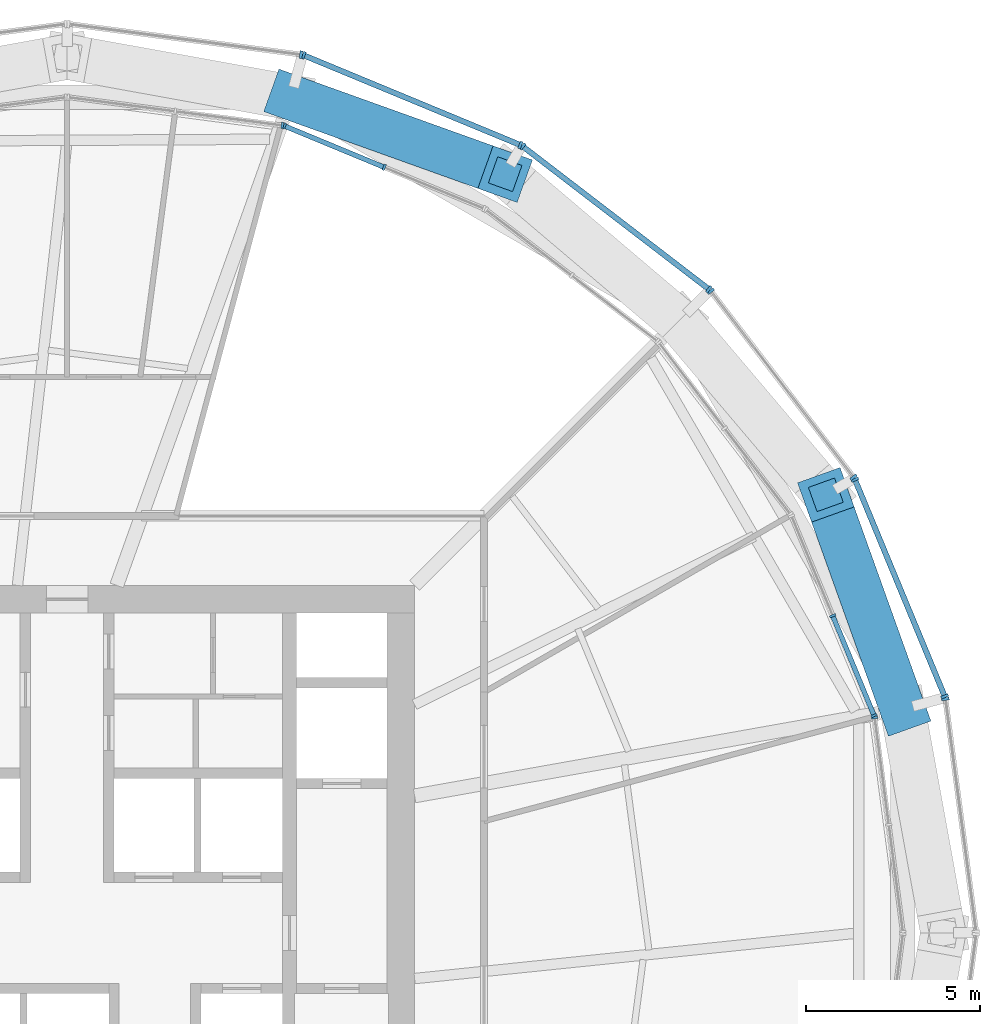
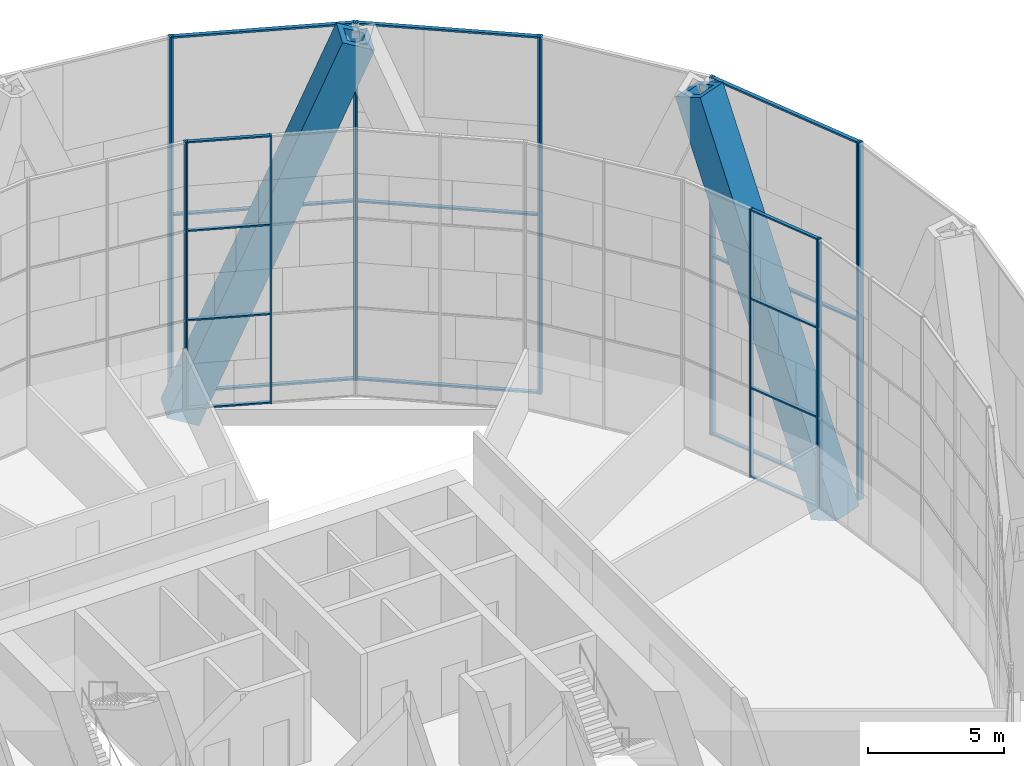
# One storey, part 10 of 26: 35 members, 10 elements without a shape of their own.
"""IFC4 building model written with IfcOpenShell, lengths in metres."""

from ifc_helpers import new_model, si_unit, direction, frame, origin, origin_2d, place, context, subcontext, project, spatial, rectangle, hollow_rectangle, extrude, material, material_profile, profile_set, type_object, element, aggregate, save


model = new_model("IFC4")

# Units and contexts
model_context = context("Model", 3, precision=1e-05, world=origin(), true_north=direction((0.0, 1.0)))
body_context = subcontext(model_context, "Body", "Model", "MODEL_VIEW")
ifc_project = project(units=[si_unit("LENGTHUNIT", "METRE"), si_unit("AREAUNIT", "SQUARE_METRE"), si_unit("VOLUMEUNIT", "CUBIC_METRE"), si_unit("PLANEANGLEUNIT", "RADIAN"), si_unit("MASSUNIT", "GRAM", prefix="KILO")], contexts=[model_context])

# Site, building, storey
site_placement = place(None, origin())
site = spatial("IfcSite", under=ifc_project, at=site_placement, CompositionType="ELEMENT")
building_placement = place(site_placement, origin())
building = spatial("IfcBuilding", under=site, at=building_placement, Name="Golbaran Civic Tower", CompositionType="ELEMENT")
storey_placement = place(building_placement, frame((0.0, 0.0, 69.0)))
storey = spatial("IfcBuildingStorey", under=building, at=storey_placement, Name="L16", CompositionType="ELEMENT", Elevation=69.0)

# Members
ifc_material_1 = material(Name="Steel S355", Category="steel")
ifc_material_profile_1 = material_profile(ifc_material_1, hollow_rectangle(XDim=1.300048828125, YDim=1.300048828125, WallThickness=0.25, at=origin_2d()), Name="BOX 1300x1300x250")
ifc_profile_set_1 = profile_set([ifc_material_profile_1], Name="Steel S355")
member_type_1 = type_object("IfcMemberType", Name="DIAGRID DIAGONAL BOX 1300x1300x250", PredefinedType="BRACE", material=ifc_profile_set_1)
for number, where, z_axis, x_axis, name in (
    (1, (24.04296875, 6.4423828125, -0.7099609375), (-0.127819765109, 0.356500071861, 0.925510565262), (-0.941324428799, -0.337503066276, 0.0), "Diagonal D03-00R L16-L20"),
    (2, (6.4423828125, 24.04296875, -0.7099609375), (0.356500071861, -0.127819765109, 0.925510565262), (0.337503066276, 0.941324428799, 0.0), "Diagonal D03-02L L16-L20"),
):
    element("IfcMember", number, at=place(storey_placement, frame(where, z_axis=z_axis, x_axis=x_axis)), inside=storey, type_object=member_type_1, Name=name, PredefinedType="BRACE", context=body_context, shape_type="SweptSolid", body=[
        extrude(hollow_rectangle(XDim=1.300048828125, YDim=1.300048828125, WallThickness=0.25, at=origin_2d()), origin(), (0.0, 0.0, 1.0), 17.287841796875),
    ])

# Curtain wall, member
ifc_material_2 = material(Name="Aluminium and glass", Category="aluminium")
curtain_wall_type_1 = type_object("IfcCurtainWallType", Name="INNER SKIN CURTAIN WALL", PredefinedType="NOTDEFINED", material=ifc_material_2)
curtain_wall_1_placement = place(storey_placement, origin())
curtain_wall_1 = element("IfcCurtainWall", 3, at=curtain_wall_1_placement, inside=storey, type_object=curtain_wall_type_1, Name="Inner skin L16 facet 1 CW1", ObjectType="INNER SKIN", PredefinedType="USERDEFINED")
ifc_material_3 = material(Name="Aluminium", Category="aluminium")
ifc_material_profile_2 = material_profile(ifc_material_3, rectangle(XDim=0.179931640625, YDim=0.06494140625, at=origin_2d()), Name="INNER SKIN CURTAIN WALL MULLION")
ifc_profile_set_2 = profile_set([ifc_material_profile_2], Name="Aluminium")
member_type_2 = type_object("IfcMemberType", Name="INNER SKIN CURTAIN WALL MULLION", PredefinedType="MULLION", material=ifc_profile_set_2)
member_1_placement = place(storey_placement, frame((23.237548828125, 6.193115234375, 0.0), z_axis=(0.0, 0.0, 1.0), x_axis=(-0.991444861381, -0.130526192168, 0.0)))
member_1 = element("IfcMember", 4, at=member_1_placement, type_object=member_type_2, Name="CW1 mullion 3", PredefinedType="MULLION", context=body_context, shape_type="SweptSolid", body=[
    extrude(rectangle(XDim=0.179931640625, YDim=0.06494140625, at=origin_2d()), origin(), (0.0, 0.0, 1.0), 12.0),
])
aggregate(curtain_wall_1, [member_1])

# Curtain wall, members
curtain_wall_2_placement = place(storey_placement, origin())
curtain_wall_2 = element("IfcCurtainWall", 5, at=curtain_wall_2_placement, inside=storey, type_object=curtain_wall_type_1, Name="Inner skin L16 facet 2 CW1", ObjectType="INNER SKIN", PredefinedType="USERDEFINED")
member_2_placement = place(storey_placement, frame((23.220947265625, 6.25537109375, 0.0), z_axis=(0.0, 0.0, 1.0), x_axis=(-0.923879532478, -0.382683432446, 0.0)))
member_2 = element("IfcMember", 6, at=member_2_placement, type_object=member_type_2, Name="CW1 mullion 1", PredefinedType="MULLION", context=body_context, shape_type="SweptSolid", body=[
    extrude(rectangle(XDim=0.179931640625, YDim=0.06494140625, at=origin_2d()), origin(), (0.0, 0.0, 1.0), 12.0),
])
member_3_placement = place(storey_placement, frame((22.031982421875, 9.1259765625, 0.0), z_axis=(0.0, 0.0, 1.0), x_axis=(-0.923879532478, -0.382683432446, 0.0)))
member_3 = element("IfcMember", 7, at=member_3_placement, type_object=member_type_2, Name="CW1 mullion 2", PredefinedType="MULLION", context=body_context, shape_type="SweptSolid", body=[
    extrude(rectangle(XDim=0.179931640625, YDim=0.06494140625, at=origin_2d()), origin(), (0.0, 0.0, 1.0), 12.0),
])

curtain_wall_3_placement = place(storey_placement, origin())
curtain_wall_3 = element("IfcCurtainWall", 8, at=curtain_wall_3_placement, inside=storey, type_object=curtain_wall_type_1, Name="Inner skin L16 facet 5 CW1", ObjectType="INNER SKIN", PredefinedType="USERDEFINED")
member_4_placement = place(storey_placement, frame((9.1259765625, 22.031982421875, 0.0), z_axis=(0.0, 0.0, 1.0), x_axis=(-0.382683432446, -0.923879532478, 0.0)))
member_4 = element("IfcMember", 9, at=member_4_placement, type_object=member_type_2, Name="CW1 mullion 2", PredefinedType="MULLION", context=body_context, shape_type="SweptSolid", body=[
    extrude(rectangle(XDim=0.179931640625, YDim=0.06494140625, at=origin_2d()), origin(), (0.0, 0.0, 1.0), 12.0),
])
member_5_placement = place(storey_placement, frame((6.25537109375, 23.220947265625, 0.0), z_axis=(0.0, 0.0, 1.0), x_axis=(-0.382683432446, -0.923879532478, 0.0)))
member_5 = element("IfcMember", 10, at=member_5_placement, type_object=member_type_2, Name="CW1 mullion 3", PredefinedType="MULLION", context=body_context, shape_type="SweptSolid", body=[
    extrude(rectangle(XDim=0.179931640625, YDim=0.06494140625, at=origin_2d()), origin(), (0.0, 0.0, 1.0), 12.0),
])

# Curtain wall, member
curtain_wall_4_placement = place(storey_placement, origin())
curtain_wall_4 = element("IfcCurtainWall", 11, at=curtain_wall_4_placement, inside=storey, type_object=curtain_wall_type_1, Name="Inner skin L16 facet 6 CW1", ObjectType="INNER SKIN", PredefinedType="USERDEFINED")
member_6_placement = place(storey_placement, frame((6.193115234375, 23.237548828125, 0.0), z_axis=(0.0, 0.0, 1.0), x_axis=(-0.130526192168, -0.991444861381, 0.0)))
member_6 = element("IfcMember", 12, at=member_6_placement, type_object=member_type_2, Name="CW1 mullion 1", PredefinedType="MULLION", context=body_context, shape_type="SweptSolid", body=[
    extrude(rectangle(XDim=0.179931640625, YDim=0.06494140625, at=origin_2d()), origin(), (0.0, 0.0, 1.0), 12.0),
])
aggregate(curtain_wall_4, [member_6])

# Member
ifc_material_profile_3 = material_profile(ifc_material_3, rectangle(XDim=0.139892578125, YDim=0.06494140625, at=origin_2d()), Name="INNER SKIN CURTAIN WALL TRANSOM")
ifc_profile_set_3 = profile_set([ifc_material_profile_3], Name="Aluminium")
member_type_3 = type_object("IfcMemberType", Name="INNER SKIN CURTAIN WALL TRANSOM", PredefinedType="USERDEFINED", material=ifc_profile_set_3)
member_7_placement = place(storey_placement, frame((23.20849609375, 6.285400390625, 0.032470703125), z_axis=(-0.382654214168, 0.923891634543, 0.0), x_axis=(-0.923891634543, -0.382654214168, 0.0)))
member_7 = element("IfcMember", 13, at=member_7_placement, type_object=member_type_3, Name="CW1 transom 1.1", ObjectType="TRANSOM", PredefinedType="USERDEFINED", context=body_context, shape_type="SweptSolid", body=[
    extrude(rectangle(XDim=0.139892578125, YDim=0.06494140625, at=origin_2d()), origin(), (0.0, 0.0, 1.0), 3.0419921875),
])

member_8_placement = place(storey_placement, frame((23.20849609375, 6.285400390625, 4.0), z_axis=(-0.382654214168, 0.923891634543, 0.0), x_axis=(-0.923891634543, -0.382654214168, 0.0)))
member_8 = element("IfcMember", 14, at=member_8_placement, type_object=member_type_3, Name="CW1 transom 1.2", ObjectType="TRANSOM", PredefinedType="USERDEFINED", context=body_context, shape_type="SweptSolid", body=[
    extrude(rectangle(XDim=0.139892578125, YDim=0.06494140625, at=origin_2d()), origin(), (0.0, 0.0, 1.0), 3.0419921875),
])

member_9_placement = place(storey_placement, frame((23.20849609375, 6.285400390625, 8.0), z_axis=(-0.382654214168, 0.923891634543, 0.0), x_axis=(-0.923891634543, -0.382654214168, 0.0)))
member_9 = element("IfcMember", 15, at=member_9_placement, type_object=member_type_3, Name="CW1 transom 1.3", ObjectType="TRANSOM", PredefinedType="USERDEFINED", context=body_context, shape_type="SweptSolid", body=[
    extrude(rectangle(XDim=0.139892578125, YDim=0.06494140625, at=origin_2d()), origin(), (0.0, 0.0, 1.0), 3.0419921875),
])

member_10_placement = place(storey_placement, frame((23.20849609375, 6.285400390625, 11.967529296875), z_axis=(-0.382654214168, 0.923891634543, 0.0), x_axis=(-0.923891634543, -0.382654214168, 0.0)))
member_10 = element("IfcMember", 16, at=member_10_placement, type_object=member_type_3, Name="CW1 transom 1.4", ObjectType="TRANSOM", PredefinedType="USERDEFINED", context=body_context, shape_type="SweptSolid", body=[
    extrude(rectangle(XDim=0.139892578125, YDim=0.06494140625, at=origin_2d()), origin(), (0.0, 0.0, 1.0), 3.0419921875),
])

aggregate(curtain_wall_2, [member_2, member_3, member_7, member_8, member_9, member_10])

member_11_placement = place(storey_placement, frame((9.095947265625, 22.04443359375, 0.032470703125), z_axis=(-0.923891634543, 0.382654214168, 0.0), x_axis=(-0.382654214168, -0.923891634543, 0.0)))
member_11 = element("IfcMember", 17, at=member_11_placement, type_object=member_type_3, Name="CW1 transom 2.1", ObjectType="TRANSOM", PredefinedType="USERDEFINED", context=body_context, shape_type="SweptSolid", body=[
    extrude(rectangle(XDim=0.139892578125, YDim=0.06494140625, at=origin_2d()), origin(), (0.0, 0.0, 1.0), 3.0419921875),
])

member_12_placement = place(storey_placement, frame((9.095947265625, 22.04443359375, 4.0), z_axis=(-0.923891634543, 0.382654214168, 0.0), x_axis=(-0.382654214168, -0.923891634543, 0.0)))
member_12 = element("IfcMember", 18, at=member_12_placement, type_object=member_type_3, Name="CW1 transom 2.2", ObjectType="TRANSOM", PredefinedType="USERDEFINED", context=body_context, shape_type="SweptSolid", body=[
    extrude(rectangle(XDim=0.139892578125, YDim=0.06494140625, at=origin_2d()), origin(), (0.0, 0.0, 1.0), 3.0419921875),
])

member_13_placement = place(storey_placement, frame((9.095947265625, 22.04443359375, 8.0), z_axis=(-0.923891634543, 0.382654214168, 0.0), x_axis=(-0.382654214168, -0.923891634543, 0.0)))
member_13 = element("IfcMember", 19, at=member_13_placement, type_object=member_type_3, Name="CW1 transom 2.3", ObjectType="TRANSOM", PredefinedType="USERDEFINED", context=body_context, shape_type="SweptSolid", body=[
    extrude(rectangle(XDim=0.139892578125, YDim=0.06494140625, at=origin_2d()), origin(), (0.0, 0.0, 1.0), 3.0419921875),
])

member_14_placement = place(storey_placement, frame((9.095947265625, 22.04443359375, 11.967529296875), z_axis=(-0.923891634543, 0.382654214168, 0.0), x_axis=(-0.382654214168, -0.923891634543, 0.0)))
member_14 = element("IfcMember", 20, at=member_14_placement, type_object=member_type_3, Name="CW1 transom 2.4", ObjectType="TRANSOM", PredefinedType="USERDEFINED", context=body_context, shape_type="SweptSolid", body=[
    extrude(rectangle(XDim=0.139892578125, YDim=0.06494140625, at=origin_2d()), origin(), (0.0, 0.0, 1.0), 3.0419921875),
])

aggregate(curtain_wall_3, [member_4, member_5, member_11, member_12, member_13, member_14])

# Curtain wall, member
curtain_wall_type_2 = type_object("IfcCurtainWallType", Name="OUTER SKIN TERRACOTTA SCREEN", PredefinedType="NOTDEFINED", material=ifc_material_2)
curtain_wall_5_placement = place(storey_placement, origin())
curtain_wall_5 = element("IfcCurtainWall", 21, at=curtain_wall_5_placement, inside=storey, type_object=curtain_wall_type_2, Name="Outer skin L16 facet 1 CW3", ObjectType="OUTER SKIN", PredefinedType="USERDEFINED")
ifc_material_profile_4 = material_profile(ifc_material_3, rectangle(XDim=0.219970703125, YDim=0.080078125, at=origin_2d()), Name="OUTER SKIN TERRACOTTA SCREEN MULLION")
ifc_profile_set_4 = profile_set([ifc_material_profile_4], Name="Aluminium")
member_type_4 = type_object("IfcMemberType", Name="OUTER SKIN TERRACOTTA SCREEN MULLION", PredefinedType="MULLION", material=ifc_profile_set_4)
member_15_placement = place(storey_placement, frame((25.27490234375, 6.731201171875, -0.7099609375), z_axis=(0.0, 0.0, 1.0), x_axis=(-0.991444861383, -0.130526192151, 0.0)))
member_15 = element("IfcMember", 22, at=member_15_placement, type_object=member_type_4, Name="CW3 mullion 2", PredefinedType="MULLION", context=body_context, shape_type="SweptSolid", body=[
    extrude(rectangle(XDim=0.219970703125, YDim=0.080078125, at=origin_2d()), origin(), (0.0, 0.0, 1.0), 16.0),
])
aggregate(curtain_wall_5, [member_15])

# Curtain wall, members
curtain_wall_6_placement = place(storey_placement, origin())
curtain_wall_6 = element("IfcCurtainWall", 23, at=curtain_wall_6_placement, inside=storey, type_object=curtain_wall_type_2, Name="Outer skin L16 facet 2 CW3", ObjectType="OUTER SKIN", PredefinedType="USERDEFINED")
member_16_placement = place(storey_placement, frame((25.25439453125, 6.807861328125, -0.7099609375), z_axis=(0.0, 0.0, 1.0), x_axis=(-0.923879532465, -0.382683432478, 0.0)))
member_16 = element("IfcMember", 24, at=member_16_placement, type_object=member_type_4, Name="CW3 mullion 1", PredefinedType="MULLION", context=body_context, shape_type="SweptSolid", body=[
    extrude(rectangle(XDim=0.219970703125, YDim=0.080078125, at=origin_2d()), origin(), (0.0, 0.0, 1.0), 16.0),
])
member_17_placement = place(storey_placement, frame((22.67138671875, 13.04345703125, -0.7099609375), z_axis=(0.0, 0.0, 1.0), x_axis=(-0.923879532465, -0.382683432478, 0.0)))
member_17 = element("IfcMember", 25, at=member_17_placement, type_object=member_type_4, Name="CW3 mullion 2", PredefinedType="MULLION", context=body_context, shape_type="SweptSolid", body=[
    extrude(rectangle(XDim=0.219970703125, YDim=0.080078125, at=origin_2d()), origin(), (0.0, 0.0, 1.0), 16.0),
])

curtain_wall_7_placement = place(storey_placement, origin())
curtain_wall_7 = element("IfcCurtainWall", 26, at=curtain_wall_7_placement, inside=storey, type_object=curtain_wall_type_2, Name="Outer skin L16 facet 3 CW3", ObjectType="OUTER SKIN", PredefinedType="USERDEFINED")
member_18_placement = place(storey_placement, frame((22.6318359375, 13.1123046875, -0.7099609375), z_axis=(0.0, 0.0, 1.0), x_axis=(-0.793353340366, -0.608761428912, 0.0)))
member_18 = element("IfcMember", 27, at=member_18_placement, type_object=member_type_4, Name="CW3 mullion 1", PredefinedType="MULLION", context=body_context, shape_type="SweptSolid", body=[
    extrude(rectangle(XDim=0.219970703125, YDim=0.080078125, at=origin_2d()), origin(), (0.0, 0.0, 1.0), 16.0),
])
member_19_placement = place(storey_placement, frame((18.52294921875, 18.466796875, -0.7099609375), z_axis=(0.0, 0.0, 1.0), x_axis=(-0.793353340366, -0.608761428912, 0.0)))
member_19 = element("IfcMember", 28, at=member_19_placement, type_object=member_type_4, Name="CW3 mullion 2", PredefinedType="MULLION", context=body_context, shape_type="SweptSolid", body=[
    extrude(rectangle(XDim=0.219970703125, YDim=0.080078125, at=origin_2d()), origin(), (0.0, 0.0, 1.0), 16.0),
])
aggregate(curtain_wall_7, [member_18, member_19])

curtain_wall_8_placement = place(storey_placement, origin())
curtain_wall_8 = element("IfcCurtainWall", 29, at=curtain_wall_8_placement, inside=storey, type_object=curtain_wall_type_2, Name="Outer skin L16 facet 4 CW3", ObjectType="OUTER SKIN", PredefinedType="USERDEFINED")
member_20_placement = place(storey_placement, frame((18.466796875, 18.52294921875, -0.7099609375), z_axis=(0.0, 0.0, 1.0), x_axis=(-0.608761428912, -0.793353340366, 0.0)))
member_20 = element("IfcMember", 30, at=member_20_placement, type_object=member_type_4, Name="CW3 mullion 1", PredefinedType="MULLION", context=body_context, shape_type="SweptSolid", body=[
    extrude(rectangle(XDim=0.219970703125, YDim=0.080078125, at=origin_2d()), origin(), (0.0, 0.0, 1.0), 16.0),
])
member_21_placement = place(storey_placement, frame((13.1123046875, 22.6318359375, -0.7099609375), z_axis=(0.0, 0.0, 1.0), x_axis=(-0.608761428912, -0.793353340366, 0.0)))
member_21 = element("IfcMember", 31, at=member_21_placement, type_object=member_type_4, Name="CW3 mullion 2", PredefinedType="MULLION", context=body_context, shape_type="SweptSolid", body=[
    extrude(rectangle(XDim=0.219970703125, YDim=0.080078125, at=origin_2d()), origin(), (0.0, 0.0, 1.0), 16.0),
])

curtain_wall_9_placement = place(storey_placement, origin())
curtain_wall_9 = element("IfcCurtainWall", 32, at=curtain_wall_9_placement, inside=storey, type_object=curtain_wall_type_2, Name="Outer skin L16 facet 5 CW3", ObjectType="OUTER SKIN", PredefinedType="USERDEFINED")
member_22_placement = place(storey_placement, frame((13.04345703125, 22.67138671875, -0.7099609375), z_axis=(0.0, 0.0, 1.0), x_axis=(-0.382683432478, -0.923879532465, 0.0)))
member_22 = element("IfcMember", 33, at=member_22_placement, type_object=member_type_4, Name="CW3 mullion 1", PredefinedType="MULLION", context=body_context, shape_type="SweptSolid", body=[
    extrude(rectangle(XDim=0.219970703125, YDim=0.080078125, at=origin_2d()), origin(), (0.0, 0.0, 1.0), 16.0),
])
member_23_placement = place(storey_placement, frame((6.807861328125, 25.25439453125, -0.7099609375), z_axis=(0.0, 0.0, 1.0), x_axis=(-0.382683432478, -0.923879532465, 0.0)))
member_23 = element("IfcMember", 34, at=member_23_placement, type_object=member_type_4, Name="CW3 mullion 2", PredefinedType="MULLION", context=body_context, shape_type="SweptSolid", body=[
    extrude(rectangle(XDim=0.219970703125, YDim=0.080078125, at=origin_2d()), origin(), (0.0, 0.0, 1.0), 16.0),
])

# Curtain wall, member
curtain_wall_10_placement = place(storey_placement, origin())
curtain_wall_10 = element("IfcCurtainWall", 35, at=curtain_wall_10_placement, inside=storey, type_object=curtain_wall_type_2, Name="Outer skin L16 facet 6 CW3", ObjectType="OUTER SKIN", PredefinedType="USERDEFINED")
member_24_placement = place(storey_placement, frame((6.731201171875, 25.27490234375, -0.7099609375), z_axis=(0.0, 0.0, 1.0), x_axis=(-0.130526192151, -0.991444861383, 0.0)))
member_24 = element("IfcMember", 36, at=member_24_placement, type_object=member_type_4, Name="CW3 mullion 1", PredefinedType="MULLION", context=body_context, shape_type="SweptSolid", body=[
    extrude(rectangle(XDim=0.219970703125, YDim=0.080078125, at=origin_2d()), origin(), (0.0, 0.0, 1.0), 16.0),
])
aggregate(curtain_wall_10, [member_24])

# Member
ifc_material_profile_5 = material_profile(ifc_material_3, rectangle(XDim=0.159912109375, YDim=0.080078125, at=origin_2d()), Name="OUTER SKIN TERRACOTTA SCREEN TRANSOM")
ifc_profile_set_5 = profile_set([ifc_material_profile_5], Name="Aluminium")
member_type_5 = type_object("IfcMemberType", Name="OUTER SKIN TERRACOTTA SCREEN TRANSOM", PredefinedType="USERDEFINED", material=ifc_profile_set_5)
member_25_placement = place(storey_placement, frame((25.239013671875, 6.844970703125, -0.669921875), z_axis=(-0.382685873056, 0.92387852154, 0.0), x_axis=(-0.92387852154, -0.382685873056, 0.0)))
member_25 = element("IfcMember", 37, at=member_25_placement, type_object=member_type_5, Name="CW3 transom 1.1", ObjectType="TRANSOM", PredefinedType="USERDEFINED", context=body_context, shape_type="SweptSolid", body=[
    extrude(rectangle(XDim=0.159912109375, YDim=0.080078125, at=origin_2d()), origin(), (0.0, 0.0, 1.0), 6.669189453125),
])

member_26_placement = place(storey_placement, frame((25.239013671875, 6.844970703125, 7.2900390625), z_axis=(-0.382685873056, 0.92387852154, 0.0), x_axis=(-0.92387852154, -0.382685873056, 0.0)))
member_26 = element("IfcMember", 38, at=member_26_placement, type_object=member_type_5, Name="CW3 transom 1.2", ObjectType="TRANSOM", PredefinedType="USERDEFINED", context=body_context, shape_type="SweptSolid", body=[
    extrude(rectangle(XDim=0.159912109375, YDim=0.080078125, at=origin_2d()), origin(), (0.0, 0.0, 1.0), 6.669189453125),
])

member_27_placement = place(storey_placement, frame((25.239013671875, 6.844970703125, 15.25), z_axis=(-0.382685873056, 0.92387852154, 0.0), x_axis=(-0.92387852154, -0.382685873056, 0.0)))
member_27 = element("IfcMember", 39, at=member_27_placement, type_object=member_type_5, Name="CW3 transom 1.3", ObjectType="TRANSOM", PredefinedType="USERDEFINED", context=body_context, shape_type="SweptSolid", body=[
    extrude(rectangle(XDim=0.159912109375, YDim=0.080078125, at=origin_2d()), origin(), (0.0, 0.0, 1.0), 6.669189453125),
])

aggregate(curtain_wall_6, [member_16, member_17, member_25, member_26, member_27])

member_28_placement = place(storey_placement, frame((18.43505859375, 18.54736328125, -0.669921875), z_axis=(-0.79334468567, 0.608772707765, 0.0), x_axis=(-0.608772707765, -0.79334468567, 0.0)))
member_28 = element("IfcMember", 40, at=member_28_placement, type_object=member_type_5, Name="CW3 transom 1.1", ObjectType="TRANSOM", PredefinedType="USERDEFINED", context=body_context, shape_type="SweptSolid", body=[
    extrude(rectangle(XDim=0.159912109375, YDim=0.080078125, at=origin_2d()), origin(), (0.0, 0.0, 1.0), 6.669189453125),
])

member_29_placement = place(storey_placement, frame((18.43505859375, 18.54736328125, 7.2900390625), z_axis=(-0.79334468567, 0.608772707765, 0.0), x_axis=(-0.608772707765, -0.79334468567, 0.0)))
member_29 = element("IfcMember", 41, at=member_29_placement, type_object=member_type_5, Name="CW3 transom 1.2", ObjectType="TRANSOM", PredefinedType="USERDEFINED", context=body_context, shape_type="SweptSolid", body=[
    extrude(rectangle(XDim=0.159912109375, YDim=0.080078125, at=origin_2d()), origin(), (0.0, 0.0, 1.0), 6.669189453125),
])

member_30_placement = place(storey_placement, frame((18.43505859375, 18.54736328125, 15.25), z_axis=(-0.79334468567, 0.608772707765, 0.0), x_axis=(-0.608772707765, -0.79334468567, 0.0)))
member_30 = element("IfcMember", 42, at=member_30_placement, type_object=member_type_5, Name="CW3 transom 1.3", ObjectType="TRANSOM", PredefinedType="USERDEFINED", context=body_context, shape_type="SweptSolid", body=[
    extrude(rectangle(XDim=0.159912109375, YDim=0.080078125, at=origin_2d()), origin(), (0.0, 0.0, 1.0), 6.669189453125),
])

aggregate(curtain_wall_8, [member_20, member_21, member_28, member_29, member_30])

member_31_placement = place(storey_placement, frame((13.006591796875, 22.686767578125, -0.669921875), z_axis=(-0.92387852154, 0.382685873056, 0.0), x_axis=(-0.382685873056, -0.92387852154, 0.0)))
member_31 = element("IfcMember", 43, at=member_31_placement, type_object=member_type_5, Name="CW3 transom 1.1", ObjectType="TRANSOM", PredefinedType="USERDEFINED", context=body_context, shape_type="SweptSolid", body=[
    extrude(rectangle(XDim=0.159912109375, YDim=0.080078125, at=origin_2d()), origin(), (0.0, 0.0, 1.0), 6.669189453125),
])

member_32_placement = place(storey_placement, frame((13.006591796875, 22.686767578125, 7.2900390625), z_axis=(-0.92387852154, 0.382685873056, 0.0), x_axis=(-0.382685873056, -0.92387852154, 0.0)))
member_32 = element("IfcMember", 44, at=member_32_placement, type_object=member_type_5, Name="CW3 transom 1.2", ObjectType="TRANSOM", PredefinedType="USERDEFINED", context=body_context, shape_type="SweptSolid", body=[
    extrude(rectangle(XDim=0.159912109375, YDim=0.080078125, at=origin_2d()), origin(), (0.0, 0.0, 1.0), 6.669189453125),
])

member_33_placement = place(storey_placement, frame((13.006591796875, 22.686767578125, 15.25), z_axis=(-0.92387852154, 0.382685873056, 0.0), x_axis=(-0.382685873056, -0.92387852154, 0.0)))
member_33 = element("IfcMember", 45, at=member_33_placement, type_object=member_type_5, Name="CW3 transom 1.3", ObjectType="TRANSOM", PredefinedType="USERDEFINED", context=body_context, shape_type="SweptSolid", body=[
    extrude(rectangle(XDim=0.159912109375, YDim=0.080078125, at=origin_2d()), origin(), (0.0, 0.0, 1.0), 6.669189453125),
])

aggregate(curtain_wall_9, [member_22, member_23, member_31, member_32, member_33])

save(model, "model.ifc")
